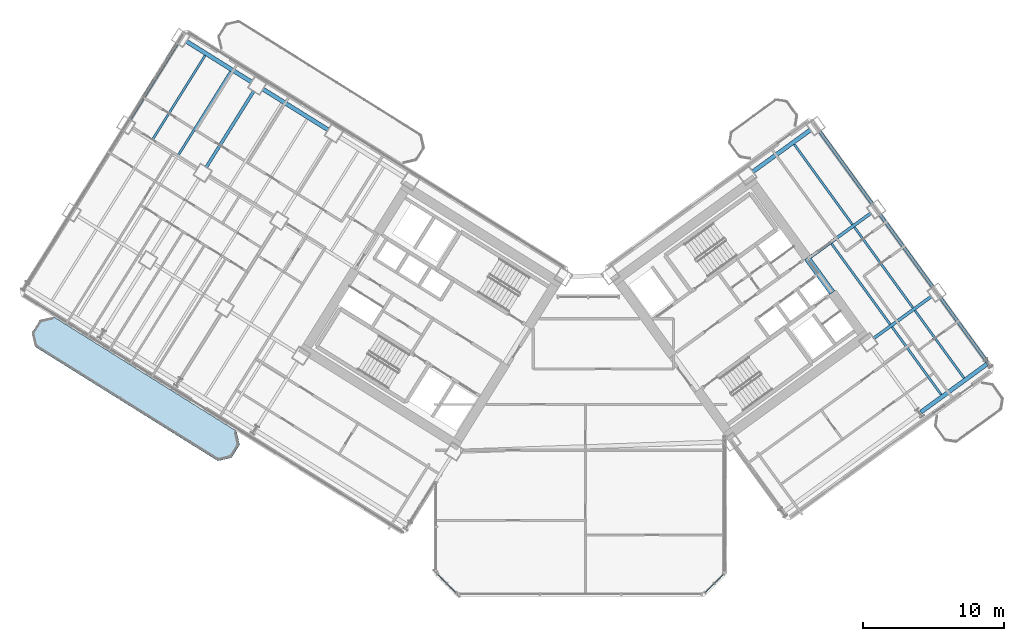
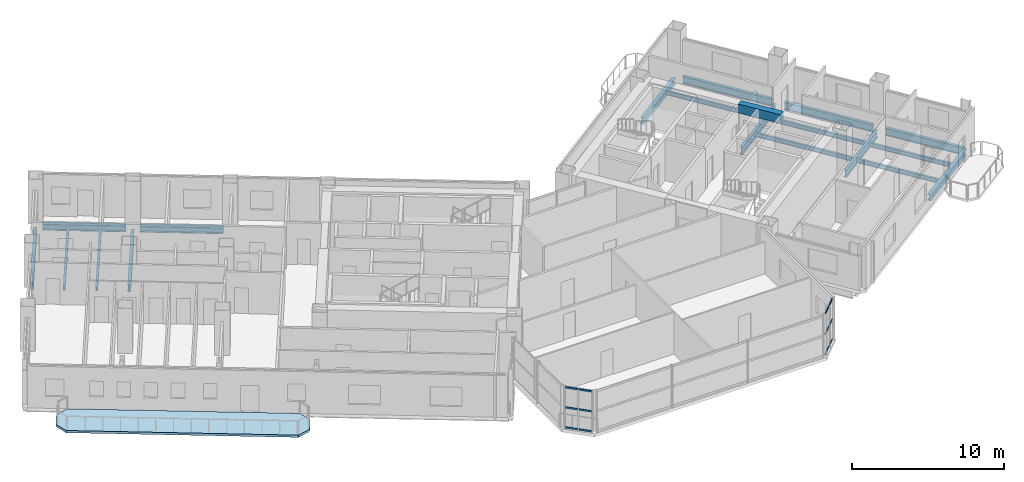
# One storey, part 12 of 28: 19 beams, 12 members, 1 slab, 2 elements without a shape of their own.
"""IFC4 building model written with IfcOpenShell, lengths in metres."""

from ifc_helpers import new_model, si_unit, direction, frame, origin, origin_2d, place, context, subcontext, project, spatial, polyline, rectangle, hollow_rectangle, i_section, outline, extrude, source, transform, mapped, material, layer, layer_set, material_profile, profile_set, type_object, element, aggregate, save


model = new_model("IFC4")

# Units and contexts
model_context = context("Model", 3, precision=1e-05, world=origin(), true_north=direction((0.0, 1.0)))
body_context = subcontext(model_context, "Body", "Model", "MODEL_VIEW")
ifc_project = project(units=[si_unit("LENGTHUNIT", "METRE"), si_unit("AREAUNIT", "SQUARE_METRE"), si_unit("VOLUMEUNIT", "CUBIC_METRE"), si_unit("PLANEANGLEUNIT", "RADIAN"), si_unit("MASSUNIT", "GRAM", prefix="KILO")], contexts=[model_context])

# Site, building, storey
site_placement = place(None, origin())
site = spatial("IfcSite", under=ifc_project, at=site_placement, CompositionType="ELEMENT")
building_placement = place(site_placement, origin())
building = spatial("IfcBuilding", under=site, at=building_placement, Name="Tlacorven Tower", CompositionType="ELEMENT")
storey_placement = place(building_placement, frame((0.0, 0.0, 63.60009765625)))
storey = spatial("IfcBuildingStorey", under=building, at=storey_placement, Name="L16", CompositionType="ELEMENT", Elevation=63.60009765625)

# Beams
ifc_material_1 = material(Name="Concrete C60/75", Category="concrete")
ifc_material_profile_1 = material_profile(ifc_material_1, rectangle(XDim=0.449951171875, YDim=0.699951171875, at=origin_2d()), Name="RC 450X700")
ifc_profile_set_1 = profile_set([ifc_material_profile_1], Name="Concrete C60/75")
beam_type_1 = type_object("IfcBeamType", Name="BM-LNT-700", PredefinedType="LINTEL", material=ifc_profile_set_1)
shared_shape_1 = source(origin(), body_context, "Body", "SweptSolid", [
    extrude(rectangle(XDim=0.449951171875, YDim=0.699951171875, at=origin_2d()), origin(), (0.0, 0.0, 1.0), 3.050048828125),
])
beam_1_placement = place(storey_placement, frame((59.856689453125, 23.345947265625, 3.0), z_axis=(-0.587776590479, 0.80902328748, 0.0), x_axis=(-0.80902328748, -0.587776590479, 0.0)))
element("IfcBeam", 1, at=beam_1_placement, inside=storey, type_object=beam_type_1, Name="L16 E core coupling lintel beam E2", PredefinedType="LINTEL", context=body_context, shape_type="MappedRepresentation", body=[
    mapped(shared_shape_1, transform((0.0, 0.0, 0.0), scale=1.0)),
])
ifc_material_2 = material(Name="Steel S355J2", Category="steel")
ifc_material_profile_2 = material_profile(ifc_material_2, i_section(OverallWidth=0.300048828125, OverallDepth=0.489990234375, WebThickness=0.011962890625, FlangeThickness=0.02294921875, at=origin_2d()), Name="HEA 500")
ifc_profile_set_2 = profile_set([ifc_material_profile_2], Name="Steel S355J2")
beam_type_2 = type_object("IfcBeamType", Name="BM-SPN-500", PredefinedType="SPANDREL", material=ifc_profile_set_2)
shared_shape_2 = source(origin(), body_context, "Body", "SweptSolid", [
    extrude(i_section(OverallWidth=0.300048828125, OverallDepth=0.489990234375, WebThickness=0.011962890625, FlangeThickness=0.02294921875, at=origin_2d()), origin(), (0.0, 0.0, 1.0), 5.5),
])
for number, where, z_axis, x_axis, name in (
    (2, (24.118896484375, 34.88134765625, -0.4951171875), (-0.848050668838, 0.52991514706, 0.0), (-0.52991514706, -0.848050668838, 0.0), "L16 beam BM-L16-WL1-4"),
    (3, (18.69140625, 38.272705078125, -0.4951171875), (-0.848050668838, 0.52991514706, 0.0), (-0.52991514706, -0.848050668838, 0.0), "L16 beam BM-L16-WL1-5"),
):
    element("IfcBeam", number, at=place(storey_placement, frame(where, z_axis=z_axis, x_axis=x_axis)), inside=storey, type_object=beam_type_2, Name=name, PredefinedType="SPANDREL", context=body_context, shape_type="MappedRepresentation", body=[
        mapped(shared_shape_2, transform((0.0, 0.0, 0.0), scale=1.0)),
    ])
ifc_material_profile_3 = material_profile(ifc_material_2, i_section(OverallWidth=0.219970703125, OverallDepth=0.60009765625, WebThickness=0.011962890625, FlangeThickness=0.01904296875, at=origin_2d()), Name="IPE 600")
ifc_profile_set_3 = profile_set([ifc_material_profile_3], Name="Steel S355J2")
beam_type_3 = type_object("IfcBeamType", Name="BM-TWR-600", PredefinedType="BEAM", material=ifc_profile_set_3)
shared_shape_3 = source(origin(), body_context, "Body", "SweptSolid", [
    extrude(i_section(OverallWidth=0.219970703125, OverallDepth=0.60009765625, WebThickness=0.011962890625, FlangeThickness=0.01904296875, at=origin_2d()), origin(), (0.0, 0.0, 1.0), 5.650146484375),
])
beam_2_placement = place(storey_placement, frame((70.853271484375, 18.41845703125, -0.550048828125), z_axis=(-0.587783675561, 0.809018139935, 0.0), x_axis=(-0.809018139935, -0.587783675561, 0.0)))
element("IfcBeam", 4, at=beam_2_placement, inside=storey, type_object=beam_type_3, Name="L16 beam BM-L16-ET4-1", PredefinedType="BEAM", context=body_context, shape_type="MappedRepresentation", body=[
    mapped(shared_shape_3, transform((0.0, 0.0, 0.0), scale=1.0)),
])
shared_shape_4 = source(origin(), body_context, "Body", "SweptSolid", [
    extrude(i_section(OverallWidth=0.219970703125, OverallDepth=0.60009765625, WebThickness=0.011962890625, FlangeThickness=0.01904296875, at=origin_2d()), origin(), (0.0, 0.0, 1.0), 6.39990234375),
])
for number, where, z_axis, x_axis, name in (
    (5, (67.003173828125, 23.717529296875, -0.550048828125), (-0.587772420479, 0.809026317077, 0.0), (-0.809026317077, -0.587772420479, 0.0), "L16 beam BM-L16-ET4-2"),
    (6, (62.71240234375, 29.62353515625, -0.550048828125), (-0.587815528162, 0.808994996803, 0.0), (-0.808994996803, -0.587815528162, 0.0), "L16 beam BM-L16-ET4-3"),
):
    element("IfcBeam", number, at=place(storey_placement, frame(where, z_axis=z_axis, x_axis=x_axis)), inside=storey, type_object=beam_type_3, Name=name, PredefinedType="BEAM", context=body_context, shape_type="MappedRepresentation", body=[
        mapped(shared_shape_4, transform((0.0, 0.0, 0.0), scale=1.0)),
    ])
shared_shape_5 = source(origin(), body_context, "Body", "SweptSolid", [
    extrude(i_section(OverallWidth=0.219970703125, OverallDepth=0.60009765625, WebThickness=0.011962890625, FlangeThickness=0.01904296875, at=origin_2d()), origin(), (0.0, 0.0, 1.0), 6.400146484375),
])
for number, where, z_axis, x_axis, name in (
    (7, (18.83447265625, 37.652587890625, -0.550048828125), (-0.529933789039, -0.848039019877, 0.0), (0.848039019877, -0.529933789039, 0.0), "L16 beam BM-L16-WT5-1"),
    (8, (13.406982421875, 41.044189453125, -0.550048828125), (-0.529933789039, -0.848039019877, 0.0), (0.848039019877, -0.529933789039, 0.0), "L16 beam BM-L16-WT6-1"),
):
    element("IfcBeam", number, at=place(storey_placement, frame(where, z_axis=z_axis, x_axis=x_axis)), inside=storey, type_object=beam_type_3, Name=name, PredefinedType="BEAM", context=body_context, shape_type="MappedRepresentation", body=[
        mapped(shared_shape_5, transform((0.0, 0.0, 0.0), scale=1.0)),
    ])
ifc_material_profile_4 = material_profile(ifc_material_2, i_section(OverallWidth=0.159912109375, OverallDepth=0.330078125, WebThickness=0.007568359375, FlangeThickness=0.011474609375, at=origin_2d()), Name="IPE 330")
ifc_profile_set_4 = profile_set([ifc_material_profile_4], Name="Steel S355J2")
beam_type_4 = type_object("IfcBeamType", Name="BM-JST-330", PredefinedType="JOIST", material=ifc_profile_set_4)
shared_shape_6 = source(origin(), body_context, "Body", "SweptSolid", [
    extrude(i_section(OverallWidth=0.159912109375, OverallDepth=0.330078125, WebThickness=0.007568359375, FlangeThickness=0.011474609375, at=origin_2d()), origin(), (0.0, 0.0, 1.0), 7.030029296875),
])
for number, where, z_axis, x_axis, name in (
    (9, (17.181640625, 39.033447265625, -0.4150390625), (-0.529911532383, -0.848052927504, 0.0), (0.848052927504, -0.529911532383, 0.0), "L16 beam BM-L16-WJ5-1-1"),
    (10, (15.372314453125, 40.163818359375, -0.4150390625), (-0.529927139185, -0.84804317529, 0.0), (0.84804317529, -0.529927139185, 0.0), "L16 beam BM-L16-WJ5-1-2"),
    (11, (61.291259765625, 28.1767578125, -0.4150390625), (-0.587773097846, 0.809025824958, 0.0), (-0.809025824958, -0.587773097846, 0.0), "L16 beam BM-L16-EJ3-3-2"),
):
    element("IfcBeam", number, at=place(storey_placement, frame(where, z_axis=z_axis, x_axis=x_axis)), inside=storey, type_object=beam_type_4, Name=name, PredefinedType="JOIST", context=body_context, shape_type="MappedRepresentation", body=[
        mapped(shared_shape_6, transform((0.0, 0.0, 0.0), scale=1.0)),
    ])
shared_shape_7 = source(origin(), body_context, "Body", "SweptSolid", [
    extrude(i_section(OverallWidth=0.159912109375, OverallDepth=0.330078125, WebThickness=0.007568359375, FlangeThickness=0.011474609375, at=origin_2d()), origin(), (0.0, 0.0, 1.0), 5.93017578125),
])
for number, where, z_axis, x_axis, name in (
    (12, (67.584716796875, 16.11181640625, -0.4150390625), (-0.587777512947, 0.809022617282, 0.0), (-0.809022617282, -0.587777512947, 0.0), "L16 beam BM-L16-EJ3-1-1"),
    (13, (69.202880859375, 17.287353515625, -0.4150390625), (-0.587777512947, 0.809022617282, 0.0), (-0.809022617282, -0.587777512947, 0.0), "L16 beam BM-L16-EJ3-1-2"),
):
    element("IfcBeam", number, at=place(storey_placement, frame(where, z_axis=z_axis, x_axis=x_axis)), inside=storey, type_object=beam_type_4, Name=name, PredefinedType="JOIST", context=body_context, shape_type="MappedRepresentation", body=[
        mapped(shared_shape_7, transform((0.0, 0.0, 0.0), scale=1.0)),
    ])
shared_shape_8 = source(origin(), body_context, "Body", "SweptSolid", [
    extrude(i_section(OverallWidth=0.159912109375, OverallDepth=0.330078125, WebThickness=0.007568359375, FlangeThickness=0.011474609375, at=origin_2d()), origin(), (0.0, 0.0, 1.0), 7.070068359375),
])
beam_3_placement = place(storey_placement, frame((63.964111328125, 21.095458984375, -0.4150390625), z_axis=(-0.587797946309, 0.80900777148, 0.0), x_axis=(-0.80900777148, -0.587797946309, 0.0)))
element("IfcBeam", 14, at=beam_3_placement, inside=storey, type_object=beam_type_4, Name="L16 beam BM-L16-EJ3-2-1", PredefinedType="JOIST", context=body_context, shape_type="MappedRepresentation", body=[
    mapped(shared_shape_8, transform((0.0, 0.0, 0.0), scale=1.0)),
])
shared_shape_9 = source(origin(), body_context, "Body", "SweptSolid", [
    extrude(i_section(OverallWidth=0.159912109375, OverallDepth=0.330078125, WebThickness=0.007568359375, FlangeThickness=0.011474609375, at=origin_2d()), origin(), (0.0, 0.0, 1.0), 7.06982421875),
])
beam_4_placement = place(storey_placement, frame((65.58203125, 22.27099609375, -0.4150390625), z_axis=(-0.58777534487, 0.809024192446, 0.0), x_axis=(-0.809024192446, -0.58777534487, 0.0)))
element("IfcBeam", 15, at=beam_4_placement, inside=storey, type_object=beam_type_4, Name="L16 beam BM-L16-EJ3-2-2", PredefinedType="JOIST", context=body_context, shape_type="MappedRepresentation", body=[
    mapped(shared_shape_9, transform((0.0, 0.0, 0.0), scale=1.0)),
])
shared_shape_10 = source(origin(), body_context, "Body", "SweptSolid", [
    extrude(i_section(OverallWidth=0.300048828125, OverallDepth=0.489990234375, WebThickness=0.011962890625, FlangeThickness=0.02294921875, at=origin_2d()), origin(), (0.0, 0.0, 1.0), 5.800048828125),
])
beam_5_placement = place(storey_placement, frame((66.138671875, 14.86962890625, -0.4951171875), z_axis=(0.809019944521, 0.587781191743, 0.0), x_axis=(-0.587781191743, 0.809019944521, 0.0)))
element("IfcBeam", 16, at=beam_5_placement, inside=storey, type_object=beam_type_2, Name="L16 beam BM-L16-EL1-3", PredefinedType="SPANDREL", context=body_context, shape_type="MappedRepresentation", body=[
    mapped(shared_shape_10, transform((0.0, 0.0, 0.0), scale=1.0)),
])
shared_shape_11 = source(origin(), body_context, "Body", "SweptSolid", [
    extrude(i_section(OverallWidth=0.219970703125, OverallDepth=0.60009765625, WebThickness=0.011962890625, FlangeThickness=0.01904296875, at=origin_2d()), origin(), (0.0, 0.0, 1.0), 5.10009765625),
])
beam_6_placement = place(storey_placement, frame((62.777587890625, 20.09130859375, -0.550048828125), z_axis=(0.809007176828, 0.58779876475, 0.0), x_axis=(-0.58779876475, 0.809007176828, 0.0)))
element("IfcBeam", 17, at=beam_6_placement, inside=storey, type_object=beam_type_3, Name="L16 beam BM-L16-EL2-3", PredefinedType="BEAM", context=body_context, shape_type="MappedRepresentation", body=[
    mapped(shared_shape_11, transform((0.0, 0.0, 0.0), scale=1.0)),
])
shared_shape_12 = source(origin(), body_context, "Body", "SweptSolid", [
    extrude(i_section(OverallWidth=0.219970703125, OverallDepth=0.60009765625, WebThickness=0.011962890625, FlangeThickness=0.01904296875, at=origin_2d()), origin(), (0.0, 0.0, 1.0), 5.510009765625),
])
beam_7_placement = place(storey_placement, frame((58.155029296875, 25.756103515625, -0.550048828125), z_axis=(0.809015730594, 0.587786991734, 0.0), x_axis=(-0.587786991734, 0.809015730594, 0.0)))
element("IfcBeam", 18, at=beam_7_placement, inside=storey, type_object=beam_type_3, Name="L16 beam BM-L16-EL3-3", PredefinedType="BEAM", context=body_context, shape_type="MappedRepresentation", body=[
    mapped(shared_shape_12, transform((0.0, 0.0, 0.0), scale=1.0)),
])
shared_shape_13 = source(origin(), body_context, "Body", "SweptSolid", [
    extrude(i_section(OverallWidth=0.300048828125, OverallDepth=0.489990234375, WebThickness=0.011962890625, FlangeThickness=0.02294921875, at=origin_2d()), origin(), (0.0, 0.0, 1.0), 5.099853515625),
])
beam_8_placement = place(storey_placement, frame((54.196044921875, 31.903076171875, -0.4951171875), z_axis=(0.809029940764, 0.587767432704, 0.0), x_axis=(-0.587767432704, 0.809029940764, 0.0)))
element("IfcBeam", 19, at=beam_8_placement, inside=storey, type_object=beam_type_2, Name="L16 beam BM-L16-EL4-3", PredefinedType="SPANDREL", context=body_context, shape_type="MappedRepresentation", body=[
    mapped(shared_shape_13, transform((0.0, 0.0, 0.0), scale=1.0)),
])

# Curtain wall, members
ifc_material_3 = material(Name="Dark solar low-E double glazing in aluminium frame", Category="aluminium")
curtain_wall_type = type_object("IfcCurtainWallType", Name="CW-TWR-LOW", PredefinedType="USERDEFINED", material=ifc_material_3)
curtain_wall_1_placement = place(storey_placement, origin())
curtain_wall_1 = element("IfcCurtainWall", 20, at=curtain_wall_1_placement, inside=storey, type_object=curtain_wall_type, Name="L16 CW-TWR-LOW Curtain Wall 87", ObjectType="UNITISED CURTAIN WALL", PredefinedType="USERDEFINED")
ifc_material_4 = material(Name="Aluminium 6063-T6 anodised", Category="aluminium")
ifc_material_profile_5 = material_profile(ifc_material_4, hollow_rectangle(XDim=0.06005859375, YDim=0.139892578125, WallThickness=0.00390625, at=origin_2d()), Name="ALU TRANSOM 60X140")
ifc_profile_set_5 = profile_set([ifc_material_profile_5], Name="Aluminium 6063-T6 anodised")
member_type = type_object("IfcMemberType", Name="CWT-02", PredefinedType="USERDEFINED", material=ifc_profile_set_5)
shared_shape_14 = source(origin(), body_context, "Body", "SweptSolid", [
    extrude(hollow_rectangle(XDim=0.06005859375, YDim=0.139892578125, WallThickness=0.00390625, at=origin_2d()), origin(), (0.0, 0.0, 1.0), 0.8837890625),
])
member_1_placement = place(storey_placement, frame((52.128173828125, 3.3544921875, 0.06982421875), z_axis=(-0.707106781187, -0.707106781187, 0.0), x_axis=(0.707106781187, -0.707106781187, 0.0)))
member_1 = element("IfcMember", 21, at=member_1_placement, type_object=member_type, Name="CW-L16-087 Transom 1", ObjectType="TRANSOM", PredefinedType="USERDEFINED", context=body_context, shape_type="MappedRepresentation", body=[
    mapped(shared_shape_14, transform((0.0, 0.0, 0.0), scale=1.0)),
])
member_2_placement = place(storey_placement, frame((52.128173828125, 3.3544921875, 1.6748046875), z_axis=(-0.707106781187, -0.707106781187, 0.0), x_axis=(0.707106781187, -0.707106781187, 0.0)))
member_2 = element("IfcMember", 22, at=member_2_placement, type_object=member_type, Name="CW-L16-087 Transom 2", ObjectType="TRANSOM", PredefinedType="USERDEFINED", context=body_context, shape_type="MappedRepresentation", body=[
    mapped(shared_shape_14, transform((0.0, 0.0, 0.0), scale=1.0)),
])
member_3_placement = place(storey_placement, frame((52.128173828125, 3.3544921875, 3.27978515625), z_axis=(-0.707106781187, -0.707106781187, 0.0), x_axis=(0.707106781187, -0.707106781187, 0.0)))
member_3 = element("IfcMember", 23, at=member_3_placement, type_object=member_type, Name="CW-L16-087 Transom 3", ObjectType="TRANSOM", PredefinedType="USERDEFINED", context=body_context, shape_type="MappedRepresentation", body=[
    mapped(shared_shape_14, transform((0.0, 0.0, 0.0), scale=1.0)),
])

curtain_wall_2_placement = place(storey_placement, origin())
curtain_wall_2 = element("IfcCurtainWall", 24, at=curtain_wall_2_placement, inside=storey, type_object=curtain_wall_type, Name="L16 CW-TWR-LOW Curtain Wall 89", ObjectType="UNITISED CURTAIN WALL", PredefinedType="USERDEFINED")
member_4_placement = place(storey_placement, frame((32.496826171875, 2.7294921875, 0.06982421875), z_axis=(-0.707106781187, 0.707106781187, 0.0), x_axis=(-0.707106781187, -0.707106781187, 0.0)))
member_4 = element("IfcMember", 25, at=member_4_placement, type_object=member_type, Name="CW-L16-089 Transom 4", ObjectType="TRANSOM", PredefinedType="USERDEFINED", context=body_context, shape_type="MappedRepresentation", body=[
    mapped(shared_shape_14, transform((0.0, 0.0, 0.0), scale=1.0)),
])
member_5_placement = place(storey_placement, frame((32.496826171875, 2.7294921875, 1.6748046875), z_axis=(-0.707106781187, 0.707106781187, 0.0), x_axis=(-0.707106781187, -0.707106781187, 0.0)))
member_5 = element("IfcMember", 26, at=member_5_placement, type_object=member_type, Name="CW-L16-089 Transom 5", ObjectType="TRANSOM", PredefinedType="USERDEFINED", context=body_context, shape_type="MappedRepresentation", body=[
    mapped(shared_shape_14, transform((0.0, 0.0, 0.0), scale=1.0)),
])
member_6_placement = place(storey_placement, frame((32.496826171875, 2.7294921875, 3.27978515625), z_axis=(-0.707106781187, 0.707106781187, 0.0), x_axis=(-0.707106781187, -0.707106781187, 0.0)))
member_6 = element("IfcMember", 27, at=member_6_placement, type_object=member_type, Name="CW-L16-089 Transom 6", ObjectType="TRANSOM", PredefinedType="USERDEFINED", context=body_context, shape_type="MappedRepresentation", body=[
    mapped(shared_shape_14, transform((0.0, 0.0, 0.0), scale=1.0)),
])

# Member
shared_shape_15 = source(origin(), body_context, "Body", "SweptSolid", [
    extrude(hollow_rectangle(XDim=0.06005859375, YDim=0.139892578125, WallThickness=0.00390625, at=origin_2d()), origin(), (0.0, 0.0, 1.0), 0.884033203125),
])
member_7_placement = place(storey_placement, frame((51.470703125, 2.69677734375, 0.06982421875), z_axis=(-0.707244847527, -0.706968687883, 0.0), x_axis=(0.706968687883, -0.707244847527, 0.0)))
member_7 = element("IfcMember", 28, at=member_7_placement, type_object=member_type, Name="CW-L16-087 Transom 4", ObjectType="TRANSOM", PredefinedType="USERDEFINED", context=body_context, shape_type="MappedRepresentation", body=[
    mapped(shared_shape_15, transform((0.0, 0.0, 0.0), scale=1.0)),
])

member_8_placement = place(storey_placement, frame((51.470703125, 2.69677734375, 1.6748046875), z_axis=(-0.707244847527, -0.706968687883, 0.0), x_axis=(0.706968687883, -0.707244847527, 0.0)))
member_8 = element("IfcMember", 29, at=member_8_placement, type_object=member_type, Name="CW-L16-087 Transom 5", ObjectType="TRANSOM", PredefinedType="USERDEFINED", context=body_context, shape_type="MappedRepresentation", body=[
    mapped(shared_shape_15, transform((0.0, 0.0, 0.0), scale=1.0)),
])

member_9_placement = place(storey_placement, frame((51.470703125, 2.69677734375, 3.27978515625), z_axis=(-0.707244847527, -0.706968687883, 0.0), x_axis=(0.706968687883, -0.707244847527, 0.0)))
member_9 = element("IfcMember", 30, at=member_9_placement, type_object=member_type, Name="CW-L16-087 Transom 6", ObjectType="TRANSOM", PredefinedType="USERDEFINED", context=body_context, shape_type="MappedRepresentation", body=[
    mapped(shared_shape_15, transform((0.0, 0.0, 0.0), scale=1.0)),
])

aggregate(curtain_wall_1, [member_1, member_2, member_3, member_7, member_8, member_9])

member_10_placement = place(storey_placement, frame((33.154541015625, 2.07177734375, 0.06982421875), z_axis=(-0.707244847527, 0.706968687883, 0.0), x_axis=(-0.706968687883, -0.707244847527, 0.0)))
member_10 = element("IfcMember", 31, at=member_10_placement, type_object=member_type, Name="CW-L16-089 Transom 1", ObjectType="TRANSOM", PredefinedType="USERDEFINED", context=body_context, shape_type="MappedRepresentation", body=[
    mapped(shared_shape_15, transform((0.0, 0.0, 0.0), scale=1.0)),
])

member_11_placement = place(storey_placement, frame((33.154541015625, 2.07177734375, 1.6748046875), z_axis=(-0.707244847527, 0.706968687883, 0.0), x_axis=(-0.706968687883, -0.707244847527, 0.0)))
member_11 = element("IfcMember", 32, at=member_11_placement, type_object=member_type, Name="CW-L16-089 Transom 2", ObjectType="TRANSOM", PredefinedType="USERDEFINED", context=body_context, shape_type="MappedRepresentation", body=[
    mapped(shared_shape_15, transform((0.0, 0.0, 0.0), scale=1.0)),
])

member_12_placement = place(storey_placement, frame((33.154541015625, 2.07177734375, 3.27978515625), z_axis=(-0.707244847527, 0.706968687883, 0.0), x_axis=(-0.706968687883, -0.707244847527, 0.0)))
member_12 = element("IfcMember", 33, at=member_12_placement, type_object=member_type, Name="CW-L16-089 Transom 3", ObjectType="TRANSOM", PredefinedType="USERDEFINED", context=body_context, shape_type="MappedRepresentation", body=[
    mapped(shared_shape_15, transform((0.0, 0.0, 0.0), scale=1.0)),
])

aggregate(curtain_wall_2, [member_10, member_11, member_12, member_4, member_5, member_6])

# Slab
ifc_material_5 = material(Name="Precast concrete C45/55", Category="concrete")
ifc_layer = layer(ifc_material_5, 0.179931640625)
ifc_layer_set = layer_set([ifc_layer], Name="Precast concrete C45/55")
slab_type = type_object("IfcSlabType", Name="SL-BAL-180", PredefinedType="USERDEFINED", material=ifc_layer_set)
slab_placement = place(storey_placement, frame((0.0, 0.0, -0.18017578125)))
element("IfcSlab", 34, at=slab_placement, inside=storey, type_object=slab_type, Name="L16 West Wing Balcony Ribbon OUT", ObjectType="BALCONY SLAB", PredefinedType="USERDEFINED", context=body_context, shape_type="SweptSolid", body=[
    extrude(outline(polyline([(17.601318359375, 13.52490234375), (4.626220703125, 21.632568359375), (3.66162109375, 21.409912109375), (3.081298828125, 20.4814453125), (3.303955078125, 19.516845703125), (16.279052734375, 11.408935546875), (17.24365234375, 11.6318359375), (17.823974609375, 12.560302734375), (17.601318359375, 13.52490234375)])), origin(), (0.0, 0.0, 1.0), 0.18017578125),
])

save(model, "model.ifc")
